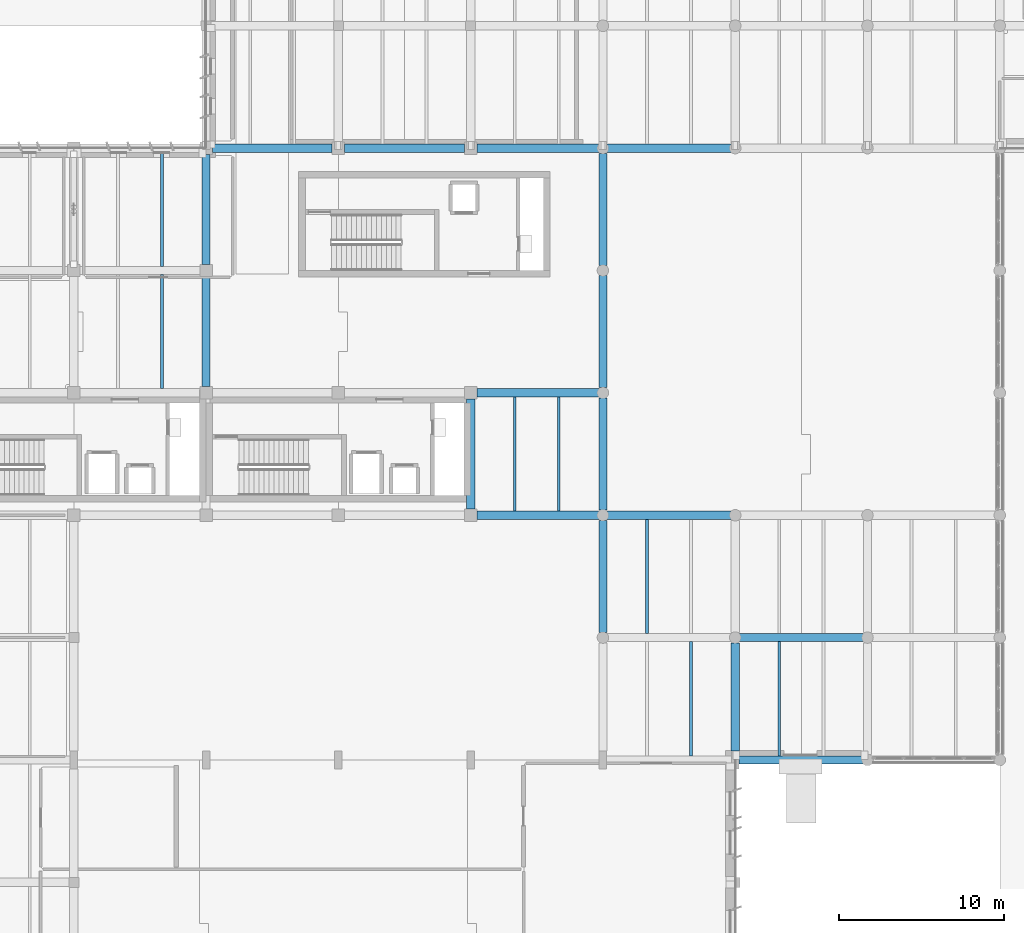
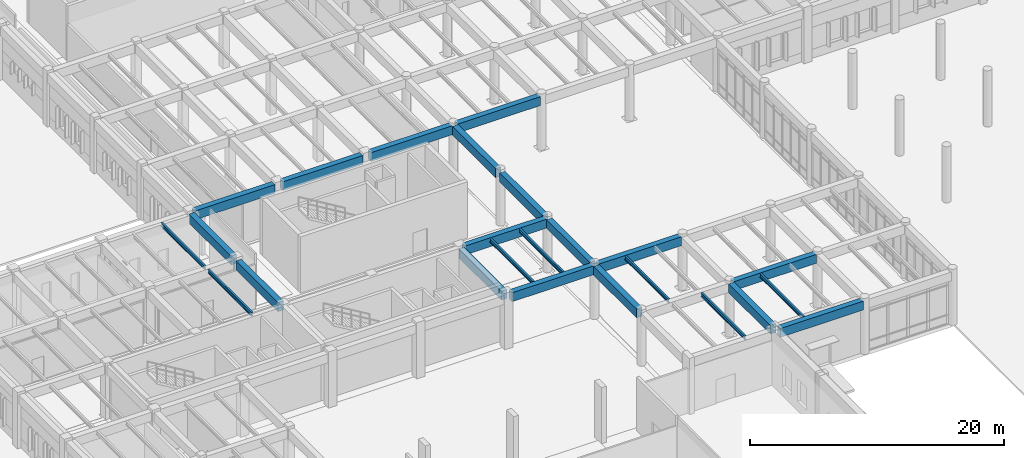
# One storey, part 3 of 56: 24 beams.
"""IFC4 building model written with IfcOpenShell, lengths in metres."""

import ifcopenshell
import ifcopenshell.guid

model = None  # the IFC model being written
_history = None  # IfcOwnerHistory: only IFC2X3 demands one
_inside = {}  # id of a spatial element -> (the spatial element, [elements in it])
_under = {}  # id of a project, library or spatial element -> (it, [spatial elements below it])
_declared = {}  # id of a project -> (the project, [libraries it declares])
_typed = {}  # id of a type object -> (the type object, [elements of that type])
_made_of = {}  # id of a material, layer set ... -> (it, [elements and type objects made of it])


def new_model(schema):
    """Start an empty IFC model of exactly this schema.

    Asked for "IFC4X3", IfcOpenShell would pick the latest addendum, in which some entities
    have other attributes; the version numbers below select the first issue.
    IFC2X3 requires an IfcOwnerHistory on every rooted entity: one is made here for all.
    """
    global model, _history
    if schema == "IFC4X3":
        model = ifcopenshell.file(schema_version=(4, 3, 0, 0))
    else:
        model = ifcopenshell.file(schema=schema)
    _inside.clear()
    _under.clear()
    _declared.clear()
    _typed.clear()
    _made_of.clear()
    _history = None
    if model.schema == "IFC2X3":
        org = make("IfcOrganization", Name="unknown")
        user = make(
            "IfcPersonAndOrganization",
            ThePerson=make("IfcPerson", FamilyName="unknown"),
            TheOrganization=org,
        )
        app = make(
            "IfcApplication",
            ApplicationDeveloper=org,
            Version="unknown",
            ApplicationFullName="unknown",
            ApplicationIdentifier="unknown",
        )
        _history = make(
            "IfcOwnerHistory",
            OwningUser=user,
            OwningApplication=app,
            ChangeAction="ADDED",
            CreationDate=0,
        )
    return model


def make(cls, **values):
    """One entity of the class cls with the attributes given. An attribute that is None is left unset."""
    return model.create_entity(
        cls, **{name: value for name, value in values.items() if value is not None}
    )


def rooted(cls, **values):
    """An entity with a GlobalId (a new one), such as an element, a storey or a relation."""
    return make(cls, GlobalId=ifcopenshell.guid.new(), OwnerHistory=_history, **values)


def si_unit(unit_type, name, prefix=None):
    """IfcSIUnit, for example si_unit("LENGTHUNIT", "METRE", prefix="MILLI")."""
    return make("IfcSIUnit", UnitType=unit_type, Prefix=prefix, Name=name)


def assignment(units):
    """IfcUnitAssignment: the units of a project."""
    return None if units is None else make("IfcUnitAssignment", Units=units)


def point(xyz):
    """IfcCartesianPoint."""
    return None if xyz is None else make("IfcCartesianPoint", Coordinates=xyz)


def direction(xyz):
    """IfcDirection."""
    return None if xyz is None else make("IfcDirection", DirectionRatios=xyz)


def frame(location, z_axis=None, x_axis=None):
    """IfcAxis2Placement3D, a coordinate frame: its origin and axes. An axis left out is left unset."""
    return make(
        "IfcAxis2Placement3D",
        Location=point(location),
        Axis=direction(z_axis),
        RefDirection=direction(x_axis),
    )


def frame_2d(location, x_axis=None):
    """IfcAxis2Placement2D, a coordinate frame in the plane: its origin and x axis."""
    return make(
        "IfcAxis2Placement2D", Location=point(location), RefDirection=direction(x_axis)
    )


def origin():
    """The frame at (0, 0, 0) with its axes left unset."""
    return frame((0.0, 0.0, 0.0))


def origin_2d():
    """The frame at (0, 0) in the plane with its x axis left unset."""
    return frame_2d((0.0, 0.0))


def place(relative_to, where):
    """IfcLocalPlacement: puts the frame where relative to a parent placement (None: the world)."""
    return make(
        "IfcLocalPlacement", PlacementRelTo=relative_to, RelativePlacement=where
    )


def context(
    kind, dimensions, precision=None, world=None, true_north=None, identifier=None
):
    """IfcGeometricRepresentationContext, for example the 3D "Model" context."""
    return make(
        "IfcGeometricRepresentationContext",
        ContextIdentifier=identifier,
        ContextType=kind,
        CoordinateSpaceDimension=dimensions,
        Precision=precision,
        WorldCoordinateSystem=world,
        TrueNorth=true_north,
    )


def subcontext(parent, identifier, kind, view, scale=None):
    """IfcGeometricRepresentationSubContext, for example "Body" below "Model"."""
    return make(
        "IfcGeometricRepresentationSubContext",
        ContextIdentifier=identifier,
        ContextType=kind,
        ParentContext=parent,
        TargetScale=scale,
        TargetView=view,
    )


def project(units=None, contexts=None):
    """IfcProject with its units and contexts."""
    return rooted(
        "IfcProject",
        Name="project",
        RepresentationContexts=contexts,
        UnitsInContext=assignment(units),
    )


def spatial(cls, under=None, at=None, **own):
    """A site, building, storey or space (cls), placed at a placement, below another one or the project."""
    s = rooted(cls, ObjectPlacement=at, **own)
    if under is not None:
        _under.setdefault(under.id(), (under, []))[1].append(s)
    return s


def profile(cls, at=None, kind="AREA", **sizes):
    """A parametric profile (cls). Its sizes go by their IFC names, for example OverallWidth=200.0."""
    return make(cls, ProfileType=kind, Position=at, **sizes)


def rectangle(**sizes):
    """IfcRectangleProfileDef."""
    return profile("IfcRectangleProfileDef", **sizes)


def i_section(**sizes):
    """IfcIShapeProfileDef."""
    return profile("IfcIShapeProfileDef", **sizes)


def extrude(swept, where, along, depth):
    """IfcExtrudedAreaSolid: the profile swept, set in the frame where, extruded along a direction by depth."""
    return make(
        "IfcExtrudedAreaSolid",
        SweptArea=swept,
        Position=where,
        ExtrudedDirection=direction(along),
        Depth=depth,
    )


def shape(context_of_items, identifier, shape_type, items):
    """IfcShapeRepresentation: the items that make up one representation, for example the "Body"."""
    return make(
        "IfcShapeRepresentation",
        ContextOfItems=context_of_items,
        RepresentationIdentifier=identifier,
        RepresentationType=shape_type,
        Items=items,
    )


def material(Name=None, Category=None):
    """IfcMaterial."""
    return make("IfcMaterial", Name=Name, Category=Category)


def material_profile(
    of_material, cross_section, Name=None, Category=None, Priority=None
):
    """IfcMaterialProfile: a cross section and its material."""
    return make(
        "IfcMaterialProfile",
        Name=Name,
        Material=of_material,
        Profile=cross_section,
        Priority=Priority,
        Category=Category,
    )


def profile_set(profiles, Name=None, composite=None):
    """IfcMaterialProfileSet."""
    return make(
        "IfcMaterialProfileSet",
        Name=Name,
        MaterialProfiles=profiles,
        CompositeProfile=composite,
    )


def made_of(thing, what):
    """Note that an element or type object is made of a material, layer set ...; save() writes the relation."""
    if what is not None:
        _made_of.setdefault(what.id(), (what, []))[1].append(thing)
    return thing


def type_object(cls, material=None, **own):
    """A type object (cls), such as IfcWallType, which elements share."""
    return made_of(rooted(cls, **own), material)


def element(
    cls,
    number,
    at=None,
    inside=None,
    cuts=None,
    type_object=None,
    material=None,
    context=None,
    identifier="Body",
    shape_type=None,
    held_by="IfcProductDefinitionShape",
    body=None,
    shapes=None,
    **own,
):
    """One element of the class cls, such as IfcWall. Its Tag is "e" and its number.

    at: its placement. inside: the storey or other place that contains it. cuts: it is an
    opening in that element (IfcRelVoidsElement). A single representation is given by context,
    identifier, shape_type and body (its items); several are given by shapes. held_by: the class
    of the entity that holds the representations. save() writes the other relations.
    """
    e = rooted(cls, Tag="e%d" % number, ObjectPlacement=at, **own)
    if body is not None:
        shapes = [shape(context, identifier, shape_type, body)]
    if shapes is not None:
        e.Representation = make(held_by, Representations=shapes)
    if inside is not None:
        _inside.setdefault(inside.id(), (inside, []))[1].append(e)
    if cuts is not None:
        rooted(
            "IfcRelVoidsElement", RelatingBuildingElement=cuts, RelatedOpeningElement=e
        )
    if type_object is not None:
        _typed.setdefault(type_object.id(), (type_object, []))[1].append(e)
    return made_of(e, material)


def aggregate(whole, parts):
    """IfcRelAggregates: a whole, such as a stair, and the parts it consists of."""
    return rooted("IfcRelAggregates", RelatingObject=whole, RelatedObjects=parts)


def save(model, path):
    """Write the relations noted so far, then the file.

    IfcRelAggregates (storeys below a building ...), IfcRelContainedInSpatialStructure (elements
    in a storey), IfcRelDefinesByType, IfcRelAssociatesMaterial and IfcRelDeclares: one each for
    every whole, place, type object, material and project.
    """
    for whole, parts in _under.values():
        aggregate(whole, parts)
    for where, things in _inside.values():
        rooted(
            "IfcRelContainedInSpatialStructure",
            RelatedElements=things,
            RelatingStructure=where,
        )
    for kind, things in _typed.values():
        rooted("IfcRelDefinesByType", RelatedObjects=things, RelatingType=kind)
    for what, things in _made_of.values():
        rooted("IfcRelAssociatesMaterial", RelatedObjects=things, RelatingMaterial=what)
    for by, libraries in _declared.values():
        rooted("IfcRelDeclares", RelatingContext=by, RelatedDefinitions=libraries)
    model.write(path)


model = new_model("IFC4")

# Units and contexts
model_context = context("Model", 3, precision=1e-05, world=origin(), true_north=direction((0.0, 1.0)))
body_context = subcontext(model_context, "Body", "Model", "MODEL_VIEW")
ifc_project = project(units=[si_unit("LENGTHUNIT", "METRE"), si_unit("AREAUNIT", "SQUARE_METRE"), si_unit("VOLUMEUNIT", "CUBIC_METRE"), si_unit("PLANEANGLEUNIT", "RADIAN"), si_unit("MASSUNIT", "GRAM", prefix="KILO")], contexts=[model_context])

# Site, building, storey
site_placement = place(None, origin())
site = spatial("IfcSite", under=ifc_project, at=site_placement, CompositionType="ELEMENT")
building_placement = place(site_placement, origin())
building = spatial("IfcBuilding", under=site, at=building_placement, Name="Valkorina Park Police Headquarters", CompositionType="ELEMENT")
storey_placement = place(building_placement, origin())
storey = spatial("IfcBuildingStorey", under=building, at=storey_placement, Name="L01", CompositionType="ELEMENT", Elevation=0.0)

# Beams
ifc_material_1 = material(Name="Concrete C40/50", Category="concrete")
ifc_material_profile_1 = material_profile(ifc_material_1, rectangle(XDim=0.5, YDim=0.85009765625, at=origin_2d()), Name="RC BEAM 500x850")
ifc_profile_set_1 = profile_set([ifc_material_profile_1], Name="Concrete C40/50")
beam_type_1 = type_object("IfcBeamType", Name="BM-RC-500x850-EXT", PredefinedType="SPANDREL", material=ifc_profile_set_1)
beam_1_placement = place(storey_placement, frame((65.02490234375, 22.199951171875, 4.715087890625), z_axis=(1.0, 0.0, 0.0), x_axis=(0.0, 1.0, 0.0)))
element("IfcBeam", 1, at=beam_1_placement, inside=storey, type_object=beam_type_1, Name="L01 Framing Beam 0723", PredefinedType="SPANDREL", context=body_context, shape_type="SweptSolid", body=[
    extrude(rectangle(XDim=0.5, YDim=0.85009765625, at=origin_2d()), origin(), (0.0, 0.0, 1.0), 7.5302734375),
])
beam_2_placement = place(storey_placement, frame((49.175048828125, 37.0, 4.715087890625), z_axis=(1.0, 0.0, 0.0), x_axis=(0.0, 1.0, 0.0)))
element("IfcBeam", 2, at=beam_2_placement, inside=storey, type_object=beam_type_1, Name="L01 Framing Beam 0741", PredefinedType="SPANDREL", context=body_context, shape_type="SweptSolid", body=[
    extrude(rectangle(XDim=0.5, YDim=0.85009765625, at=origin_2d()), origin(), (0.0, 0.0, 1.0), 7.380126953125),
])
beam_3_placement = place(storey_placement, frame((56.800048828125, 29.916259765625, 4.715087890625), z_axis=(0.0, 1.0, 0.0), x_axis=(-1.0, 0.0, 0.0)))
element("IfcBeam", 3, at=beam_3_placement, inside=storey, type_object=beam_type_1, Name="L01 Framing Beam 1025", PredefinedType="SPANDREL", context=body_context, shape_type="SweptSolid", body=[
    extrude(rectangle(XDim=0.5, YDim=0.85009765625, at=origin_2d()), origin(), (0.0, 0.0, 1.0), 6.767578125),
])
ifc_material_profile_2 = material_profile(ifc_material_1, rectangle(XDim=0.5, YDim=0.85009765625, at=origin_2d()), Name="RC BEAM 500x850")
ifc_profile_set_2 = profile_set([ifc_material_profile_2], Name="Concrete C40/50")
beam_type_2 = type_object("IfcBeamType", Name="BM-RC-500x850-INT", PredefinedType="BEAM", material=ifc_profile_set_2)
for number, where, z_axis, x_axis, name in (
    (4, (65.044921875, 29.60009765625, 4.715087890625), (1.0, 0.0, 0.0), (0.0, 1.0, 0.0), "L01 Framing Beam 0731"),
    (5, (57.044921875, 37.0, 4.715087890625), (1.0, 0.0, 0.0), (0.0, 1.0, 0.0), "L01 Framing Beam 0742"),
):
    element("IfcBeam", number, at=place(storey_placement, frame(where, z_axis=z_axis, x_axis=x_axis)), inside=storey, type_object=beam_type_2, Name=name, PredefinedType="BEAM", context=body_context, shape_type="SweptSolid", body=[
        extrude(rectangle(XDim=0.5, YDim=0.85009765625, at=origin_2d()), origin(), (0.0, 0.0, 1.0), 7.51025390625),
    ])
for number, where, z_axis, x_axis, name in (
    (6, (33.175048828125, 59.199951171875, 4.715087890625), (1.0, 0.0, 0.0), (0.0, 1.0, 0.0), "L01 Framing Beam 0766"),
    (7, (41.175048828125, 59.199951171875, 4.715087890625), (1.0, 0.0, 0.0), (0.0, 1.0, 0.0), "L01 Framing Beam 0767"),
):
    element("IfcBeam", number, at=place(storey_placement, frame(where, z_axis=z_axis, x_axis=x_axis)), inside=storey, type_object=beam_type_2, Name=name, PredefinedType="BEAM", context=body_context, shape_type="SweptSolid", body=[
        extrude(rectangle(XDim=0.5, YDim=0.85009765625, at=origin_2d()), origin(), (0.0, 0.0, 1.0), 7.25),
    ])
beam_4_placement = place(storey_placement, frame((49.175048828125, 59.199951171875, 4.715087890625), z_axis=(1.0, 0.0, 0.0), x_axis=(0.0, 1.0, 0.0)))
element("IfcBeam", 8, at=beam_4_placement, inside=storey, type_object=beam_type_2, Name="L01 Framing Beam 0768", PredefinedType="BEAM", context=body_context, shape_type="SweptSolid", body=[
    extrude(rectangle(XDim=0.5, YDim=0.85009765625, at=origin_2d()), origin(), (0.0, 0.0, 1.0), 7.380126953125),
])
beam_5_placement = place(storey_placement, frame((57.044921875, 59.199951171875, 4.715087890625), z_axis=(1.0, 0.0, 0.0), x_axis=(0.0, 1.0, 0.0)))
element("IfcBeam", 9, at=beam_5_placement, inside=storey, type_object=beam_type_2, Name="L01 Framing Beam 0769", PredefinedType="BEAM", context=body_context, shape_type="SweptSolid", body=[
    extrude(rectangle(XDim=0.5, YDim=0.85009765625, at=origin_2d()), origin(), (0.0, 0.0, 1.0), 7.51025390625),
])
beam_6_placement = place(storey_placement, frame((32.800048828125, 44.77490234375, 4.715087890625), z_axis=(0.0, 1.0, 0.0), x_axis=(-1.0, 0.0, 0.0)))
element("IfcBeam", 10, at=beam_6_placement, inside=storey, type_object=beam_type_2, Name="L01 Framing Beam 0970", PredefinedType="BEAM", context=body_context, shape_type="SweptSolid", body=[
    extrude(rectangle(XDim=0.5, YDim=0.85009765625, at=origin_2d()), origin(), (0.0, 0.0, 1.0), 6.650146484375),
])
for number, where, z_axis, x_axis, name in (
    (11, (32.800048828125, 52.175048828125, 4.715087890625), (0.0, 1.0, 0.0), (-1.0, 0.0, 0.0), "L01 Framing Beam 0971"),
    (12, (48.800048828125, 37.375, 4.715087890625), (0.0, 1.0, 0.0), (-1.0, 0.0, 0.0), "L01 Framing Beam 1004"),
):
    element("IfcBeam", number, at=place(storey_placement, frame(where, z_axis=z_axis, x_axis=x_axis)), inside=storey, type_object=beam_type_2, Name=name, PredefinedType="BEAM", context=body_context, shape_type="SweptSolid", body=[
        extrude(rectangle(XDim=0.5, YDim=0.85009765625, at=origin_2d()), origin(), (0.0, 0.0, 1.0), 6.64990234375),
    ])
for number, where, z_axis, x_axis, name in (
    (13, (56.800048828125, 37.316162109375, 4.715087890625), (0.0, 1.0, 0.0), (-1.0, 0.0, 0.0), "L01 Framing Beam 1028"),
    (14, (56.800048828125, 44.71630859375, 4.715087890625), (0.0, 1.0, 0.0), (-1.0, 0.0, 0.0), "L01 Framing Beam 1029"),
    (15, (56.800048828125, 52.1162109375, 4.715087890625), (0.0, 1.0, 0.0), (-1.0, 0.0, 0.0), "L01 Framing Beam 1030"),
):
    element("IfcBeam", number, at=place(storey_placement, frame(where, z_axis=z_axis, x_axis=x_axis)), inside=storey, type_object=beam_type_2, Name=name, PredefinedType="BEAM", context=body_context, shape_type="SweptSolid", body=[
        extrude(rectangle(XDim=0.5, YDim=0.85009765625, at=origin_2d()), origin(), (0.0, 0.0, 1.0), 6.767578125),
    ])
beam_7_placement = place(storey_placement, frame((64.800048828125, 22.75, 4.715087890625), z_axis=(0.0, 1.0, 0.0), x_axis=(-1.0, 0.0, 0.0)))
element("IfcBeam", 16, at=beam_7_placement, inside=storey, type_object=beam_type_2, Name="L01 Framing Beam 1044", PredefinedType="BEAM", context=body_context, shape_type="SweptSolid", body=[
    extrude(rectangle(XDim=0.5, YDim=0.85009765625, at=origin_2d()), origin(), (0.0, 0.0, 1.0), 6.53369140625),
])
ifc_material_profile_3 = material_profile(ifc_material_1, rectangle(XDim=0.5, YDim=0.85009765625, at=origin_2d()), Name="RC BEAM 500x850")
ifc_profile_set_3 = profile_set([ifc_material_profile_3], Name="Concrete C40/50")
beam_type_3 = type_object("IfcBeamType", Name="BM-RC-LINTEL-INT", PredefinedType="LINTEL", material=ifc_profile_set_3)
beam_8_placement = place(storey_placement, frame((49.175048828125, 44.39990234375, 4.715087890625), z_axis=(1.0, 0.0, 0.0), x_axis=(0.0, 1.0, 0.0)))
element("IfcBeam", 17, at=beam_8_placement, inside=storey, type_object=beam_type_3, Name="L01 Framing Beam 0753", PredefinedType="LINTEL", context=body_context, shape_type="SweptSolid", body=[
    extrude(rectangle(XDim=0.5, YDim=0.85009765625, at=origin_2d()), origin(), (0.0, 0.0, 1.0), 7.380126953125),
])
ifc_material_2 = material(Name="Steel S355", Category="steel")
ifc_material_profile_4 = material_profile(ifc_material_2, i_section(OverallWidth=0.169921875, OverallDepth=0.360107421875, WebThickness=0.008056640625, FlangeThickness=0.0126953125, FilletRadius=0.01806640625, at=origin_2d()), Name="IPE 360")
ifc_profile_set_4 = profile_set([ifc_material_profile_4], Name="Steel S355")
beam_type_4 = type_object("IfcBeamType", Name="BM-S355-IPE360-JST", PredefinedType="JOIST", material=ifc_profile_set_4)
beam_9_placement = place(storey_placement, frame((30.13330078125, 44.64990234375, 4.9599609375), z_axis=(0.0, 1.0, 0.0), x_axis=(-1.0, 0.0, 0.0)))
element("IfcBeam", 18, at=beam_9_placement, inside=storey, type_object=beam_type_4, Name="L01 Framing Beam 0956", PredefinedType="JOIST", context=body_context, shape_type="SweptSolid", body=[
    extrude(i_section(OverallWidth=0.169921875, OverallDepth=0.360107421875, WebThickness=0.008056640625, FlangeThickness=0.0126953125, FilletRadius=0.01806640625, at=origin_2d()), origin(), (0.0, 0.0, 1.0), 6.900146484375),
])
for number, where, z_axis, x_axis, name in (
    (19, (30.13330078125, 52.050048828125, 4.9599609375), (0.0, 1.0, 0.0), (-1.0, 0.0, 0.0), "L01 Framing Beam 0959"),
    (20, (51.466796875, 37.25, 4.9599609375), (0.0, 1.0, 0.0), (-1.0, 0.0, 0.0), "L01 Framing Beam 1005"),
    (21, (54.13330078125, 37.25, 4.9599609375), (0.0, 1.0, 0.0), (-1.0, 0.0, 0.0), "L01 Framing Beam 1006"),
):
    element("IfcBeam", number, at=place(storey_placement, frame(where, z_axis=z_axis, x_axis=x_axis)), inside=storey, type_object=beam_type_4, Name=name, PredefinedType="JOIST", context=body_context, shape_type="SweptSolid", body=[
        extrude(i_section(OverallWidth=0.169921875, OverallDepth=0.360107421875, WebThickness=0.008056640625, FlangeThickness=0.0126953125, FilletRadius=0.01806640625, at=origin_2d()), origin(), (0.0, 0.0, 1.0), 6.89990234375),
    ])
beam_10_placement = place(storey_placement, frame((62.13330078125, 22.449951171875, 4.9599609375), z_axis=(0.0, 1.0, 0.0), x_axis=(-1.0, 0.0, 0.0)))
element("IfcBeam", 22, at=beam_10_placement, inside=storey, type_object=beam_type_4, Name="L01 Framing Beam 1024", PredefinedType="JOIST", context=body_context, shape_type="SweptSolid", body=[
    extrude(i_section(OverallWidth=0.169921875, OverallDepth=0.360107421875, WebThickness=0.008056640625, FlangeThickness=0.0126953125, FilletRadius=0.01806640625, at=origin_2d()), origin(), (0.0, 0.0, 1.0), 6.900146484375),
])
beam_11_placement = place(storey_placement, frame((59.466796875, 29.85009765625, 4.9599609375), z_axis=(0.0, 1.0, 0.0), x_axis=(-1.0, 0.0, 0.0)))
element("IfcBeam", 23, at=beam_11_placement, inside=storey, type_object=beam_type_4, Name="L01 Framing Beam 1026", PredefinedType="JOIST", context=body_context, shape_type="SweptSolid", body=[
    extrude(i_section(OverallWidth=0.169921875, OverallDepth=0.360107421875, WebThickness=0.008056640625, FlangeThickness=0.0126953125, FilletRadius=0.01806640625, at=origin_2d()), origin(), (0.0, 0.0, 1.0), 6.89990234375),
])
beam_12_placement = place(storey_placement, frame((67.466796875, 22.449951171875, 4.9599609375), z_axis=(0.0, 1.0, 0.0), x_axis=(-1.0, 0.0, 0.0)))
element("IfcBeam", 24, at=beam_12_placement, inside=storey, type_object=beam_type_4, Name="L01 Framing Beam 1045", PredefinedType="JOIST", context=body_context, shape_type="SweptSolid", body=[
    extrude(i_section(OverallWidth=0.169921875, OverallDepth=0.360107421875, WebThickness=0.008056640625, FlangeThickness=0.0126953125, FilletRadius=0.01806640625, at=origin_2d()), origin(), (0.0, 0.0, 1.0), 6.900146484375),
])

save(model, "model.ifc")
